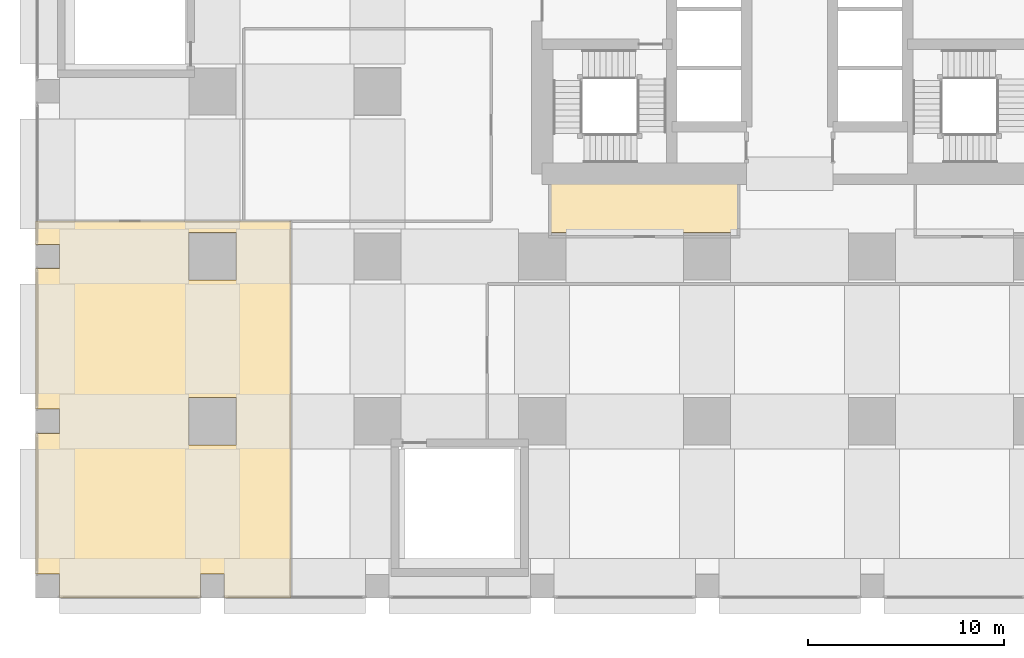
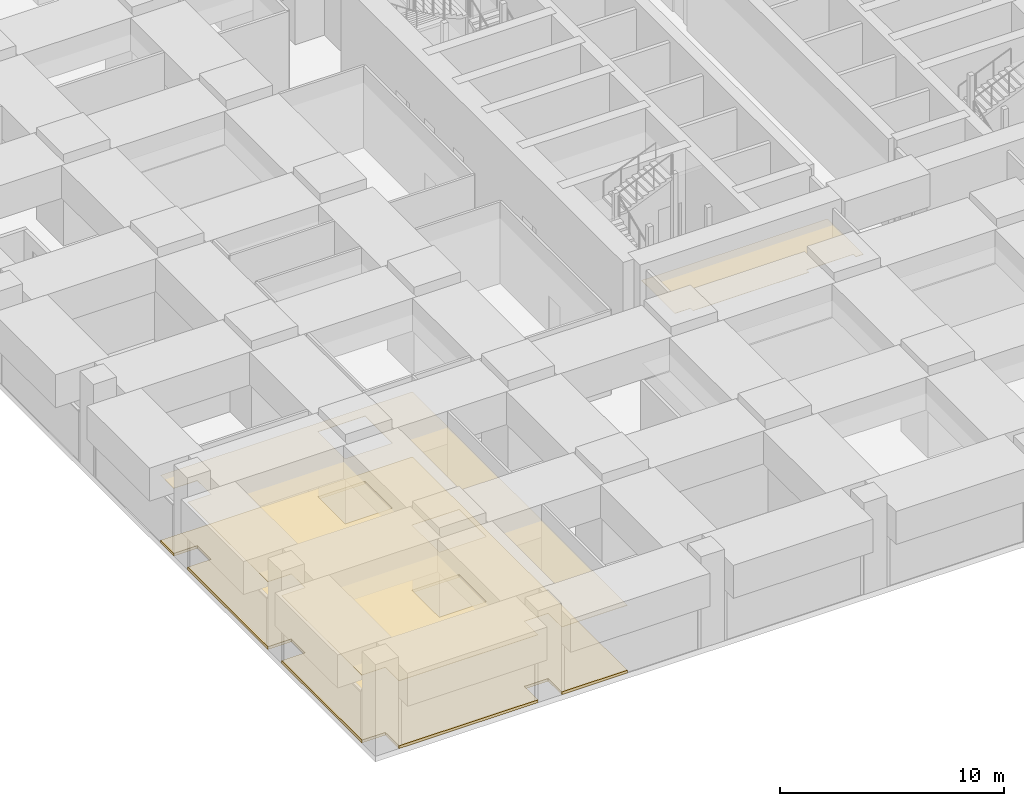
# One storey, part 44 of 52: 3 coverings.
"""IFC4 building model written with IfcOpenShell, lengths in metres."""

from ifc_helpers import new_model, si_unit, direction, frame, origin, place, context, subcontext, project, spatial, polyline, outline, extrude, material, layer, layer_set, type_object, element, save


model = new_model("IFC4")

# Units and contexts
model_context = context("Model", 3, precision=1e-05, world=origin(), true_north=direction((0.0, 1.0)))
body_context = subcontext(model_context, "Body", "Model", "MODEL_VIEW")
ifc_project = project(units=[si_unit("LENGTHUNIT", "METRE"), si_unit("AREAUNIT", "SQUARE_METRE"), si_unit("VOLUMEUNIT", "CUBIC_METRE"), si_unit("PLANEANGLEUNIT", "RADIAN"), si_unit("MASSUNIT", "GRAM", prefix="KILO")], contexts=[model_context])

# Site, building, storey
site_placement = place(None, origin())
site = spatial("IfcSite", under=ifc_project, at=site_placement, CompositionType="ELEMENT")
building_placement = place(site_placement, origin())
building = spatial("IfcBuilding", under=site, at=building_placement, Name="Rekha Terrace Tower", CompositionType="ELEMENT")
storey_placement = place(building_placement, frame((0.0, 0.0, 20.39990234375)))
storey = spatial("IfcBuildingStorey", under=building, at=storey_placement, Name="L04", CompositionType="ELEMENT", Elevation=20.39990234375)

# Coverings
ifc_material_1 = material(Name="Mineral fibre tile in exposed grid", Category="finish")
ifc_layer_1 = layer(ifc_material_1, 0.02001953125)
ifc_layer_set_1 = layer_set([ifc_layer_1], Name="Mineral fibre tile in exposed grid")
covering_type_1 = type_object("IfcCoveringType", Name="CL1 600x1200 office grid ceiling", PredefinedType="CEILING", material=ifc_layer_set_1)
covering_1_placement = place(storey_placement, frame((0.0, 0.0, 3.68017578125)))
element("IfcCovering", 1, at=covering_1_placement, inside=storey, type_object=covering_type_1, Name="Ceiling L04-05", PredefinedType="CEILING", context=body_context, shape_type="SweptSolid", body=[
    extrude(outline(polyline([(12.39990234375, -0.60009765625), (12.39990234375, 18.60009765625), (-0.60009765625, 18.60009765625), (-0.60009765625, 17.4150390625), (0.614990234375, 17.4150390625), (0.614990234375, 16.18505859375), (-0.60009765625, 16.18505859375), (-0.60009765625, 9.014892578125), (0.614990234375, 9.014892578125), (0.614990234375, 7.784912109375), (-0.60009765625, 7.784912109375), (-0.60009765625, 0.614990234375), (0.614990234375, 0.614990234375), (0.614990234375, -0.60009765625), (7.784912109375, -0.60009765625), (7.784912109375, 0.614990234375), (9.014892578125, 0.614990234375), (9.014892578125, -0.60009765625), (12.39990234375, -0.60009765625)]), holes=[polyline([(9.614990234375, 7.18505859375), (7.18505859375, 7.18505859375), (7.18505859375, 9.614990234375), (9.614990234375, 9.614990234375), (9.614990234375, 7.18505859375)]), polyline([(9.614990234375, 15.5849609375), (7.18505859375, 15.5849609375), (7.18505859375, 18.014892578125), (9.614990234375, 18.014892578125), (9.614990234375, 15.5849609375)])]), origin(), (0.0, 0.0, 1.0), 0.02001953125),
])
ifc_material_2 = material(Name="Fibre cement board", Category="finish")
ifc_layer_2 = layer(ifc_material_2, 0.014892578125)
ifc_layer_set_2 = layer_set([ifc_layer_2], Name="Fibre cement board")
covering_type_2 = type_object("IfcCoveringType", Name="CL2 moisture-resistant board ceiling", PredefinedType="CEILING", material=ifc_layer_set_2)
covering_2_placement = place(storey_placement, frame((0.0, 0.0, 3.68505859375)))
element("IfcCovering", 2, at=covering_2_placement, inside=storey, type_object=covering_type_2, Name="Ceiling L04-WCM", PredefinedType="CEILING", context=body_context, shape_type="SweptSolid", body=[
    extrude(outline(polyline([(35.199951171875, 21.0), (25.60009765625, 21.0), (25.60009765625, 18.014892578125), (26.4150390625, 18.014892578125), (26.4150390625, 17.800048828125), (32.385009765625, 17.800048828125), (32.385009765625, 18.014892578125), (34.81494140625, 18.014892578125), (34.81494140625, 17.800048828125), (35.199951171875, 17.800048828125), (35.199951171875, 21.0)])), origin(), (0.0, 0.0, 1.0), 0.01513671875),
])
ifc_material_3 = material(Name="Calcium sulphate panels on steel pedestals", Category="steel")
ifc_layer_3 = layer(ifc_material_3, 0.14990234375)
ifc_layer_set_3 = layer_set([ifc_layer_3], Name="Calcium sulphate panels on steel pedestals")
covering_type_3 = type_object("IfcCoveringType", Name="RF1 150 raised access floor", PredefinedType="FLOORING", material=ifc_layer_set_3)
covering_3_placement = place(storey_placement, origin())
element("IfcCovering", 3, at=covering_3_placement, inside=storey, type_object=covering_type_3, Name="Raised floor L04-05", PredefinedType="FLOORING", context=body_context, shape_type="SweptSolid", body=[
    extrude(outline(polyline([(12.39990234375, -0.60009765625), (12.39990234375, 18.60009765625), (-0.60009765625, 18.60009765625), (-0.60009765625, 17.4150390625), (0.614990234375, 17.4150390625), (0.614990234375, 16.18505859375), (-0.60009765625, 16.18505859375), (-0.60009765625, 9.014892578125), (0.614990234375, 9.014892578125), (0.614990234375, 7.784912109375), (-0.60009765625, 7.784912109375), (-0.60009765625, 0.614990234375), (0.614990234375, 0.614990234375), (0.614990234375, -0.60009765625), (7.784912109375, -0.60009765625), (7.784912109375, 0.614990234375), (9.014892578125, 0.614990234375), (9.014892578125, -0.60009765625), (12.39990234375, -0.60009765625)]), holes=[polyline([(9.614990234375, 7.18505859375), (7.18505859375, 7.18505859375), (7.18505859375, 9.614990234375), (9.614990234375, 9.614990234375), (9.614990234375, 7.18505859375)]), polyline([(9.614990234375, 15.5849609375), (7.18505859375, 15.5849609375), (7.18505859375, 18.014892578125), (9.614990234375, 18.014892578125), (9.614990234375, 15.5849609375)])]), origin(), (0.0, 0.0, 1.0), 0.150146484375),
])

save(model, "model.ifc")
